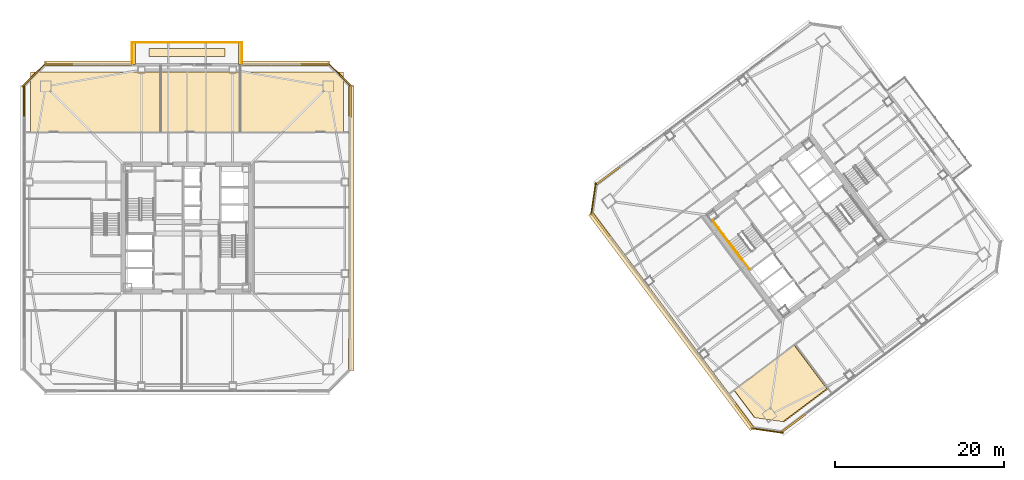
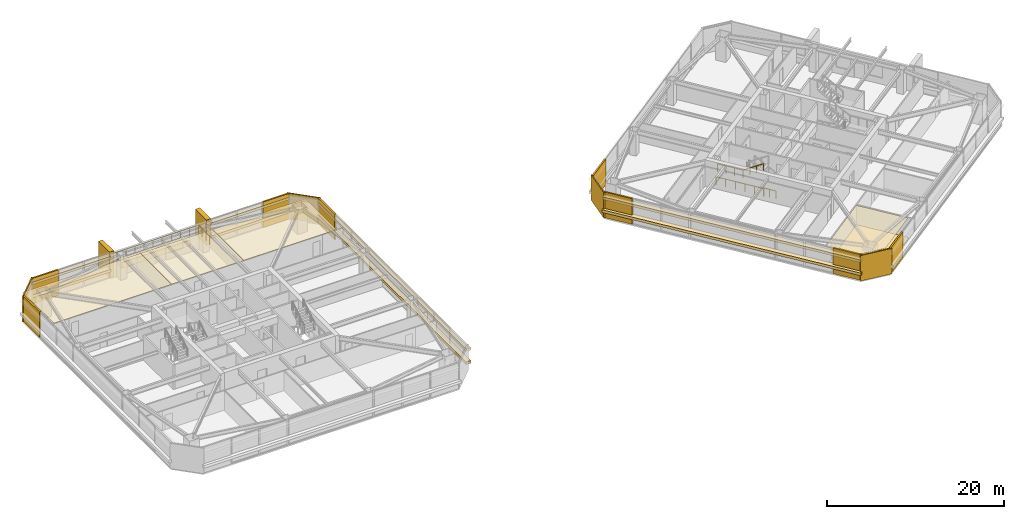
# One storey, part 41 of 44: 28 coverings, 7 railings.
"""IFC4 building model written with IfcOpenShell, lengths in metres."""

from ifc_helpers import new_model, si_unit, direction, frame, origin, origin_2d, place, context, subcontext, project, spatial, polyline, rectangle, outline, extrude, material, layer, layer_set, type_object, element, save


model = new_model("IFC4")

# Units and contexts
model_context = context("Model", 3, precision=1e-05, world=origin(), true_north=direction((0.0, 1.0)))
body_context = subcontext(model_context, "Body", "Model", "MODEL_VIEW")
ifc_project = project(units=[si_unit("LENGTHUNIT", "METRE"), si_unit("AREAUNIT", "SQUARE_METRE"), si_unit("VOLUMEUNIT", "CUBIC_METRE"), si_unit("PLANEANGLEUNIT", "RADIAN"), si_unit("MASSUNIT", "GRAM", prefix="KILO")], contexts=[model_context])

# Site, building, storey
site_placement = place(None, origin())
site = spatial("IfcSite", under=ifc_project, at=site_placement, CompositionType="ELEMENT")
building_placement = place(site_placement, origin())
building = spatial("IfcBuilding", under=site, at=building_placement, Name="Tashvorn Skyway Center", CompositionType="ELEMENT")
storey_placement = place(building_placement, frame((0.0, 0.0, 149.89990234375)))
storey = spatial("IfcBuildingStorey", under=building, at=storey_placement, Name="L40", CompositionType="ELEMENT", Elevation=149.89990234375)

# Coverings
ifc_material_1 = material(Name="Precast concrete C40/50", Category="concrete")
ifc_layer_1 = layer(ifc_material_1, 0.199951171875)
ifc_layer_set_1 = layer_set([ifc_layer_1], Name="Precast concrete C40/50")
covering_type_1 = type_object("IfcCoveringType", Name="COV-BRACE-CLAD", PredefinedType="CLADDING", material=ifc_layer_set_1)
covering_1_placement = place(storey_placement, frame((22.719970703125, 46.91552734375, 0.0), z_axis=(0.0, 0.0, 1.0), x_axis=(0.0, 1.0, 0.0)))
element("IfcCovering", 1, at=covering_1_placement, inside=storey, type_object=covering_type_1, Name="Tower 1 L40 West Unitised Curtain Wall Mega-Brace Cladding Band 2", PredefinedType="CLADDING", context=body_context, shape_type="SweptSolid", body=[
    extrude(rectangle(XDim=3.72900390625, YDim=0.199951171875, at=origin_2d()), origin(), (0.0, 0.0, 1.0), 3.550048828125),
])
for number, where, z_axis, x_axis, name in (
    (2, (26.916748046875, 51.280029296875, 0.0), (0.0, 0.0, 1.0), (1.0, 0.0, 0.0), "Tower 1 L40 North Curtain Wall L Mega-Brace Cladding Band 1"),
    (3, (57.083251953125, 51.280029296875, 0.0), (0.0, 0.0, 1.0), (1.0, 0.0, 0.0), "Tower 1 L40 North Curtain Wall R Mega-Brace Cladding Band 1"),
):
    element("IfcCovering", number, at=place(storey_placement, frame(where, z_axis=z_axis, x_axis=x_axis)), inside=storey, type_object=covering_type_1, Name=name, PredefinedType="CLADDING", context=body_context, shape_type="SweptSolid", body=[
        extrude(rectangle(XDim=3.393310546875, YDim=0.199951171875, at=origin_2d()), origin(), (0.0, 0.0, 1.0), 3.550048828125),
    ])
covering_2_placement = place(storey_placement, frame((61.280029296875, 46.91552734375, 0.0), z_axis=(0.0, 0.0, 1.0), x_axis=(0.0, -1.0, 0.0)))
element("IfcCovering", 4, at=covering_2_placement, inside=storey, type_object=covering_type_1, Name="Tower 1 L40 East Unitised Curtain Wall Mega-Brace Cladding Band 1", PredefinedType="CLADDING", context=body_context, shape_type="SweptSolid", body=[
    extrude(rectangle(XDim=3.72900390625, YDim=0.199951171875, at=origin_2d()), origin(), (0.0, 0.0, 1.0), 3.550048828125),
])
for number, where, z_axis, x_axis, name in (
    (5, (113.675537109375, 8.90673828125, 0.0), (0.0, 0.0, 1.0), (-0.799999996291, -0.600000004945, 0.0), "Tower 2 L40 South Unitised Curtain Wall Mega-Brace Cladding Band 2"),
    (6, (107.845458984375, 9.739501953125, 0.0), (0.0, 0.0, 1.0), (-0.600000004945, 0.799999996291, 0.0), "Tower 2 L40 West Unitised Curtain Wall Mega-Brace Cladding Band 1"),
    (7, (90.90673828125, 32.324462890625, 0.0), (0.0, 0.0, 1.0), (-0.600000004945, 0.799999996291, 0.0), "Tower 2 L40 West Unitised Curtain Wall Mega-Brace Cladding Band 2"),
    (8, (91.739501953125, 38.154541015625, 0.0), (0.0, 0.0, 1.0), (0.799999996291, 0.600000004945, 0.0), "Tower 2 L40 North Unitised Curtain Wall Mega-Brace Cladding Band 1"),
):
    element("IfcCovering", number, at=place(storey_placement, frame(where, z_axis=z_axis, x_axis=x_axis)), inside=storey, type_object=covering_type_1, Name=name, PredefinedType="CLADDING", context=body_context, shape_type="SweptSolid", body=[
        extrude(rectangle(XDim=3.52880859375, YDim=0.199951171875, at=origin_2d()), origin(), (0.0, 0.0, 1.0), 3.550048828125),
    ])
ifc_material_2 = material(Name="Mineral-fibre acoustic ceiling tile on suspended grid")
ifc_layer_2 = layer(ifc_material_2, 0.02001953125)
ifc_layer_set_2 = layer_set([ifc_layer_2], Name="Mineral-fibre acoustic ceiling tile on suspended grid")
covering_type_2 = type_object("IfcCoveringType", Name="COV-CEIL-20", PredefinedType="CEILING", material=ifc_layer_set_2)
covering_3_placement = place(storey_placement, frame((0.0, 0.0, 2.703125)))
element("IfcCovering", 9, at=covering_3_placement, inside=storey, type_object=covering_type_2, Name="Tower 1 L40 Operations Control Room Acoustic Ceiling", PredefinedType="CEILING", context=body_context, shape_type="SweptSolid", body=[
    extrude(outline(polyline([(23.5, 43.300048828125), (38.89990234375, 43.300048828125), (38.89990234375, 50.39990234375), (23.5, 50.39990234375), (23.5, 43.300048828125)])), origin(), (0.0, 0.0, 1.0), 0.02001953125),
])
covering_4_placement = place(storey_placement, frame((0.0, 0.0, 2.703125)))
element("IfcCovering", 10, at=covering_4_placement, inside=storey, type_object=covering_type_2, Name="Tower 1 L40 Operations Control Room Acoustic Ceiling", PredefinedType="CEILING", context=body_context, shape_type="SweptSolid", body=[
    extrude(outline(polyline([(38.89990234375, 43.300048828125), (48.300048828125, 43.300048828125), (48.300048828125, 50.39990234375), (38.89990234375, 50.39990234375), (38.89990234375, 43.300048828125)])), origin(), (0.0, 0.0, 1.0), 0.02001953125),
])
covering_5_placement = place(storey_placement, frame((0.0, 0.0, 2.703125)))
element("IfcCovering", 11, at=covering_5_placement, inside=storey, type_object=covering_type_2, Name="Tower 1 L40 Boardroom Acoustic Ceiling", PredefinedType="CEILING", context=body_context, shape_type="SweptSolid", body=[
    extrude(outline(polyline([(48.300048828125, 43.300048828125), (60.5, 43.300048828125), (60.5, 50.39990234375), (48.300048828125, 50.39990234375), (48.300048828125, 43.300048828125)])), origin(), (0.0, 0.0, 1.0), 0.02001953125),
])
covering_6_placement = place(storey_placement, frame((0.0, 0.0, 2.703125)))
element("IfcCovering", 12, at=covering_6_placement, inside=storey, type_object=covering_type_2, Name="Tower 2 L40 Operations Control Room Acoustic Ceiling", PredefinedType="CEILING", context=body_context, shape_type="SweptSolid", body=[
    extrude(outline(polyline([(106.68994140625, 12.780029296875), (113.778076171875, 18.095947265625), (117.612060546875, 12.98388671875), (112.412109375, 9.083984375), (109.10791015625, 9.555908203125), (106.68994140625, 12.780029296875)])), origin(), (0.0, 0.0, 1.0), 0.02001953125),
])
ifc_material_3 = material(Name="Polished Mojave desert-aggregate terrazzo and cover plate")
ifc_layer_3 = layer(ifc_material_3, 0.0400390625)
ifc_layer_set_3 = layer_set([ifc_layer_3], Name="Polished Mojave desert-aggregate terrazzo and cover plate")
covering_type_3 = type_object("IfcCoveringType", Name="COV-FLR-40", PredefinedType="FLOORING", material=ifc_layer_set_3)
covering_7_placement = place(storey_placement, origin())
element("IfcCovering", 13, at=covering_7_placement, inside=storey, type_object=covering_type_3, Name="Tower 2 L40 Operations Control Room Finish Flooring", PredefinedType="FLOORING", context=body_context, shape_type="SweptSolid", body=[
    extrude(outline(polyline([(112.580078125, 9.06005859375), (109.052001953125, 9.56396484375), (106.681884765625, 12.72412109375), (113.833984375, 18.087890625), (117.716064453125, 12.912109375), (112.580078125, 9.06005859375)])), origin(), (0.0, 0.0, 1.0), 0.0400390625),
])
ifc_material_4 = material(Name="Perforated ceramic-coated bronze aluminium solar screen", Category="aluminium")
ifc_layer_4 = layer(ifc_material_4, 0.85009765625)
ifc_layer_set_4 = layer_set([ifc_layer_4], Name="Perforated ceramic-coated bronze aluminium solar screen")
covering_type_4 = type_object("IfcCoveringType", Name="COV-SOLAR-BAND", PredefinedType="CLADDING", material=ifc_layer_set_4)
for number, where, z_axis, x_axis, name in (
    (14, (30.31005859375, 51.419921875, 0.919921875), (0.0, 0.0, 1.0), (1.0, 0.0, 0.0), "L40 Perforated Ceramic-Metal Solar Screen Louvre Band North 1"),
    (15, (30.31005859375, 51.419921875, 2.72021484375), (0.0, 0.0, 1.0), (1.0, 0.0, 0.0), "L40 Perforated Ceramic-Metal Solar Screen Louvre Band North 2"),
    (16, (53.68994140625, 51.419921875, 0.919921875), (0.0, 0.0, 1.0), (1.0, 0.0, 0.0), "L40 Perforated Ceramic-Metal Solar Screen Louvre Band North 1"),
    (17, (53.68994140625, 51.419921875, 2.72021484375), (0.0, 0.0, 1.0), (1.0, 0.0, 0.0), "L40 Perforated Ceramic-Metal Solar Screen Louvre Band North 2"),
):
    element("IfcCovering", number, at=place(storey_placement, frame(where, z_axis=z_axis, x_axis=x_axis)), inside=storey, type_object=covering_type_4, Name=name, PredefinedType="CLADDING", context=body_context, shape_type="SweptSolid", body=[
        extrude(rectangle(XDim=10.300048828125, YDim=0.639892578125, at=origin_2d()), origin(), (0.0, 0.0, 1.0), 0.360107421875),
    ])
for number, where, z_axis, x_axis, name in (
    (18, (61.419921875, 32.0, 0.919921875), (0.0, 0.0, 1.0), (0.0, -1.0, 0.0), "L40 Perforated Ceramic-Metal Solar Screen Louvre Band East 1"),
    (19, (61.419921875, 32.0, 2.72021484375), (0.0, 0.0, 1.0), (0.0, -1.0, 0.0), "L40 Perforated Ceramic-Metal Solar Screen Louvre Band East 2"),
):
    element("IfcCovering", number, at=place(storey_placement, frame(where, z_axis=z_axis, x_axis=x_axis)), inside=storey, type_object=covering_type_4, Name=name, PredefinedType="CLADDING", context=body_context, shape_type="SweptSolid", body=[
        extrude(rectangle(XDim=33.679931640625, YDim=0.639892578125, at=origin_2d()), origin(), (0.0, 0.0, 1.0), 0.360107421875),
    ])
for number, where, z_axis, x_axis, name in (
    (20, (99.263916015625, 20.947998046875, 0.919921875), (0.0, 0.0, 1.0), (-0.600000004945, 0.799999996291, 0.0), "L40 Perforated Ceramic-Metal Solar Screen Louvre Band West 1"),
    (21, (99.263916015625, 20.947998046875, 2.72021484375), (0.0, 0.0, 1.0), (-0.600000004945, 0.799999996291, 0.0), "L40 Perforated Ceramic-Metal Solar Screen Louvre Band West 2"),
):
    element("IfcCovering", number, at=place(storey_placement, frame(where, z_axis=z_axis, x_axis=x_axis)), inside=storey, type_object=covering_type_4, Name=name, PredefinedType="CLADDING", context=body_context, shape_type="SweptSolid", body=[
        extrude(rectangle(XDim=31.8798828125, YDim=0.639892578125, at=origin_2d()), origin(), (0.0, 0.0, 1.0), 0.360107421875),
    ])
ifc_layer_5 = layer(ifc_material_1, 0.35009765625)
ifc_layer_set_5 = layer_set([ifc_layer_5], Name="Precast concrete C40/50")
covering_type_5 = type_object("IfcCoveringType", Name="COV-STONE-TRIM", PredefinedType="CLADDING", material=ifc_layer_set_5)
for number, where, z_axis, x_axis, name in (
    (22, (35.64990234375, 52.550048828125, 0.0), (0.0, 0.0, 1.0), (1.0, 0.0, 0.0), "Tower 1 L40 Sky Garden Loggia Pier L"),
    (23, (48.35009765625, 52.550048828125, 0.0), (0.0, 0.0, 1.0), (1.0, 0.0, 0.0), "Tower 1 L40 Sky Garden Loggia Pier R"),
):
    element("IfcCovering", number, at=place(storey_placement, frame(where, z_axis=z_axis, x_axis=x_axis)), inside=storey, type_object=covering_type_5, Name=name, PredefinedType="CLADDING", context=body_context, shape_type="SweptSolid", body=[
        extrude(rectangle(XDim=0.580078125, YDim=2.5, at=origin_2d()), origin(), (0.0, 0.0, 1.0), 3.550048828125),
    ])
covering_8_placement = place(storey_placement, frame((42.0, 52.699951171875, 0.0), z_axis=(0.0, 0.0, 1.0), x_axis=(1.0, 0.0, 0.0)))
element("IfcCovering", 24, at=covering_8_placement, inside=storey, type_object=covering_type_5, Name="Tower 1 L40 Sky Garden Stone Planter Bed", PredefinedType="CLADDING", context=body_context, shape_type="SweptSolid", body=[
    extrude(rectangle(XDim=8.97607421875, YDim=0.949951171875, at=origin_2d()), origin(), (0.0, 0.0, 1.0), 0.800048828125),
])
for number, where, z_axis, x_axis, name in (
    (25, (23.929931640625, 50.070068359375, 0.02001953125), (0.0, 0.0, 1.0), (-0.707106781187, -0.707106781187, 0.0), "Tower 1 L40 NW Mojave Limestone Corner Quoin"),
    (26, (60.070068359375, 50.070068359375, 0.02001953125), (0.0, 0.0, 1.0), (0.707106781187, -0.707106781187, 0.0), "Tower 1 L40 NE Mojave Limestone Corner Quoin"),
):
    element("IfcCovering", number, at=place(storey_placement, frame(where, z_axis=z_axis, x_axis=x_axis)), inside=storey, type_object=covering_type_5, Name=name, PredefinedType="CLADDING", context=body_context, shape_type="SweptSolid", body=[
        extrude(rectangle(XDim=3.978515625, YDim=0.139892578125, at=origin_2d()), origin(), (0.0, 0.0, 1.0), 3.510009765625),
    ])
for number, where, z_axis, x_axis, name in (
    (27, (110.575927734375, 8.031982421875, 0.02001953125), (0.0, 0.0, 1.0), (-0.989949494535, 0.141421350118, 0.0), "Tower 2 L40 SW Mojave Limestone Corner Quoin"),
    (28, (90.031982421875, 35.424072265625, 0.02001953125), (0.0, 0.0, 1.0), (-0.141421350118, -0.989949494535, 0.0), "Tower 2 L40 NW Mojave Limestone Corner Quoin"),
):
    element("IfcCovering", number, at=place(storey_placement, frame(where, z_axis=z_axis, x_axis=x_axis)), inside=storey, type_object=covering_type_5, Name=name, PredefinedType="CLADDING", context=body_context, shape_type="SweptSolid", body=[
        extrude(rectangle(XDim=3.8369140625, YDim=0.139892578125, at=origin_2d()), origin(), (0.0, 0.0, 1.0), 3.510009765625),
    ])

# Railings
ifc_material_5 = material(Name="Galvanized steel S355", Category="steel")
railing_type_1 = type_object("IfcRailingType", Name="RAIL-GUARD-1120", PredefinedType="GUARDRAIL", material=ifc_material_5)
railing_1_placement = place(storey_placement, frame((35.47998046875, 51.39990234375, 0.0)))
element("IfcRailing", 29, at=railing_1_placement, inside=storey, type_object=railing_type_1, Name="L40 Tower 1 Terrace Guardrail 01", PredefinedType="GUARDRAIL", context=body_context, shape_type="SweptSolid", body=[
    extrude(rectangle(XDim=0.048095703125, YDim=0.048095703125, at=origin_2d()), frame((0.0, 0.0, 1.09619140625), z_axis=(0.0, 1.0, 0.0), x_axis=(-1.0, 0.0, 0.0)), (0.0, 0.0, 1.0), 2.52001953125),
    extrude(rectangle(XDim=0.0419921875, YDim=0.0419921875, at=origin_2d()), origin(), (0.0, 0.0, 1.0), 1.072021484375),
    extrude(rectangle(XDim=0.0419921875, YDim=0.0419921875, at=origin_2d()), frame((0.0, 0.840087890625, 0.0)), (0.0, 0.0, 1.0), 1.072021484375),
    extrude(rectangle(XDim=0.0419921875, YDim=0.0419921875, at=origin_2d()), frame((0.0, 1.679931640625, 0.0)), (0.0, 0.0, 1.0), 1.072021484375),
    extrude(rectangle(XDim=0.0419921875, YDim=0.0419921875, at=origin_2d()), frame((0.0, 2.52001953125, 0.0)), (0.0, 0.0, 1.0), 1.072021484375),
])
railing_2_placement = place(storey_placement, frame((35.47998046875, 53.919921875, 0.0)))
element("IfcRailing", 30, at=railing_2_placement, inside=storey, type_object=railing_type_1, Name="L40 Tower 1 Terrace Guardrail 02", PredefinedType="GUARDRAIL", context=body_context, shape_type="SweptSolid", body=[
    extrude(rectangle(XDim=0.048095703125, YDim=0.048095703125, at=origin_2d()), frame((0.0, 0.0, 1.09619140625), z_axis=(1.0, 0.0, 0.0), x_axis=(0.0, 1.0, 0.0)), (0.0, 0.0, 1.0), 13.0400390625),
    extrude(rectangle(XDim=0.0419921875, YDim=0.0419921875, at=origin_2d()), origin(), (0.0, 0.0, 1.0), 1.072021484375),
    extrude(rectangle(XDim=0.0419921875, YDim=0.0419921875, at=origin_2d()), frame((1.185546875, 0.0, 0.0)), (0.0, 0.0, 1.0), 1.072021484375),
    extrude(rectangle(XDim=0.0419921875, YDim=0.0419921875, at=origin_2d()), frame((2.370849609375, 0.0, 0.0)), (0.0, 0.0, 1.0), 1.072021484375),
    extrude(rectangle(XDim=0.0419921875, YDim=0.0419921875, at=origin_2d()), frame((3.556396484375, 0.0, 0.0)), (0.0, 0.0, 1.0), 1.072021484375),
    extrude(rectangle(XDim=0.0419921875, YDim=0.0419921875, at=origin_2d()), frame((4.741943359375, 0.0, 0.0)), (0.0, 0.0, 1.0), 1.072021484375),
    extrude(rectangle(XDim=0.0419921875, YDim=0.0419921875, at=origin_2d()), frame((5.92724609375, 0.0, 0.0)), (0.0, 0.0, 1.0), 1.072021484375),
    extrude(rectangle(XDim=0.0419921875, YDim=0.0419921875, at=origin_2d()), frame((7.11279296875, 0.0, 0.0)), (0.0, 0.0, 1.0), 1.072021484375),
    extrude(rectangle(XDim=0.0419921875, YDim=0.0419921875, at=origin_2d()), frame((8.298095703125, 0.0, 0.0)), (0.0, 0.0, 1.0), 1.072021484375),
    extrude(rectangle(XDim=0.0419921875, YDim=0.0419921875, at=origin_2d()), frame((9.483642578125, 0.0, 0.0)), (0.0, 0.0, 1.0), 1.072021484375),
    extrude(rectangle(XDim=0.0419921875, YDim=0.0419921875, at=origin_2d()), frame((10.669189453125, 0.0, 0.0)), (0.0, 0.0, 1.0), 1.072021484375),
    extrude(rectangle(XDim=0.0419921875, YDim=0.0419921875, at=origin_2d()), frame((11.8544921875, 0.0, 0.0)), (0.0, 0.0, 1.0), 1.072021484375),
    extrude(rectangle(XDim=0.0419921875, YDim=0.0419921875, at=origin_2d()), frame((13.0400390625, 0.0, 0.0)), (0.0, 0.0, 1.0), 1.072021484375),
])
railing_3_placement = place(storey_placement, frame((48.52001953125, 53.919921875, 0.0)))
element("IfcRailing", 31, at=railing_3_placement, inside=storey, type_object=railing_type_1, Name="L40 Tower 1 Terrace Guardrail 03", PredefinedType="GUARDRAIL", context=body_context, shape_type="SweptSolid", body=[
    extrude(rectangle(XDim=0.048095703125, YDim=0.048095703125, at=origin_2d()), frame((0.0, 0.0, 1.09619140625), z_axis=(0.0, -1.0, 0.0), x_axis=(1.0, 0.0, 0.0)), (0.0, 0.0, 1.0), 2.52001953125),
    extrude(rectangle(XDim=0.0419921875, YDim=0.0419921875, at=origin_2d()), origin(), (0.0, 0.0, 1.0), 1.072021484375),
    extrude(rectangle(XDim=0.0419921875, YDim=0.0419921875, at=origin_2d()), frame((0.0, -0.840087890625, 0.0)), (0.0, 0.0, 1.0), 1.072021484375),
    extrude(rectangle(XDim=0.0419921875, YDim=0.0419921875, at=origin_2d()), frame((0.0, -1.679931640625, 0.0)), (0.0, 0.0, 1.0), 1.072021484375),
    extrude(rectangle(XDim=0.0419921875, YDim=0.0419921875, at=origin_2d()), frame((0.0, -2.52001953125, 0.0)), (0.0, 0.0, 1.0), 1.072021484375),
])
ifc_material_6 = material(Name="Brushed stainless steel 316", Category="steel")
railing_type_2 = type_object("IfcRailingType", Name="RAIL-HAND-920", PredefinedType="HANDRAIL", material=ifc_material_6)
railing_4_placement = place(storey_placement, frame((106.072021484375, 30.35400390625, 1.95263671875)))
element("IfcRailing", 32, at=railing_4_placement, inside=storey, type_object=railing_type_2, Name="L40 ST-T2-1 stair handrail 2", PredefinedType="HANDRAIL", context=body_context, shape_type="SweptSolid", body=[
    extrude(rectangle(XDim=0.048095703125, YDim=0.048095703125, at=origin_2d()), frame((0.0, 0.0, 0.8759765625), z_axis=(0.506740800098, -0.675708949977, 0.535379469569), x_axis=(0.800023250257, 0.599968998406, 0.0)), (0.0, 0.0, 1.0), 2.983642578125),
    extrude(rectangle(XDim=0.0419921875, YDim=0.0419921875, at=origin_2d()), origin(), (0.0, 0.0, 1.0), 0.851806640625),
    extrude(rectangle(XDim=0.0419921875, YDim=0.0419921875, at=origin_2d()), frame((0.50390625, -0.672119140625, 0.532470703125)), (0.0, 0.0, 1.0), 0.851806640625),
    extrude(rectangle(XDim=0.0419921875, YDim=0.0419921875, at=origin_2d()), frame((1.008056640625, -1.343994140625, 1.06494140625)), (0.0, 0.0, 1.0), 0.851806640625),
    extrude(rectangle(XDim=0.0419921875, YDim=0.0419921875, at=origin_2d()), frame((1.511962890625, -2.01611328125, 1.597412109375)), (0.0, 0.0, 1.0), 0.851806640625),
])
ifc_material_7 = material(Name="Painted galvanized steel S355", Category="steel")
railing_type_3 = type_object("IfcRailingType", Name="RAIL-STGUARD-1100", PredefinedType="GUARDRAIL", material=ifc_material_7)
railing_5_placement = place(storey_placement, frame((106.072021484375, 30.35400390625, 1.775146484375)))
element("IfcRailing", 33, at=railing_5_placement, inside=storey, type_object=railing_type_3, Name="L40 ST-T2-1 stair guard 3", PredefinedType="GUARDRAIL", context=body_context, shape_type="SweptSolid", body=[
    extrude(rectangle(XDim=0.048095703125, YDim=0.048095703125, at=origin_2d()), frame((0.0, 0.0, 1.076171875), z_axis=(-0.599987638607, 0.800009270896, 0.0), x_axis=(-0.800009270896, -0.599987638607, 0.0)), (0.0, 0.0, 1.0), 3.16015625),
    extrude(rectangle(XDim=0.0419921875, YDim=0.0419921875, at=origin_2d()), origin(), (0.0, 0.0, 1.0), 1.052001953125),
    extrude(rectangle(XDim=0.0419921875, YDim=0.0419921875, at=origin_2d()), frame((-0.632080078125, 0.8427734375, 0.0)), (0.0, 0.0, 1.0), 1.052001953125),
    extrude(rectangle(XDim=0.0419921875, YDim=0.0419921875, at=origin_2d()), frame((-1.263916015625, 1.685302734375, 0.0)), (0.0, 0.0, 1.0), 1.052001953125),
    extrude(rectangle(XDim=0.0419921875, YDim=0.0419921875, at=origin_2d()), frame((-1.89599609375, 2.528076171875, 0.0)), (0.0, 0.0, 1.0), 1.052001953125),
])
railing_6_placement = place(storey_placement, frame((108.49609375, 27.1220703125, 0.0)))
element("IfcRailing", 34, at=railing_6_placement, inside=storey, type_object=railing_type_3, Name="L40 ST-T2-1 stair guard 6", PredefinedType="GUARDRAIL", context=body_context, shape_type="SweptSolid", body=[
    extrude(rectangle(XDim=0.048095703125, YDim=0.048095703125, at=origin_2d()), frame((0.0, 0.0, 1.076171875), z_axis=(-0.600102796382, 0.799922892393, 0.0), x_axis=(-0.799922892393, -0.600102796382, 0.0)), (0.0, 0.0, 1.0), 1.52001953125),
    extrude(rectangle(XDim=0.0419921875, YDim=0.0419921875, at=origin_2d()), origin(), (0.0, 0.0, 1.0), 1.052001953125),
    extrude(rectangle(XDim=0.0419921875, YDim=0.0419921875, at=origin_2d()), frame((-0.4560546875, 0.60791015625, 0.0)), (0.0, 0.0, 1.0), 1.052001953125),
    extrude(rectangle(XDim=0.0419921875, YDim=0.0419921875, at=origin_2d()), frame((-0.912109375, 1.2158203125, 0.0)), (0.0, 0.0, 1.0), 1.052001953125),
])
railing_7_placement = place(storey_placement, frame((107.56396484375, 28.197998046875, 0.0)))
element("IfcRailing", 35, at=railing_7_placement, inside=storey, type_object=railing_type_3, Name="L40 ST-T2-1 stair guard 7", PredefinedType="GUARDRAIL", context=body_context, shape_type="SweptSolid", body=[
    extrude(rectangle(XDim=0.048095703125, YDim=0.048095703125, at=origin_2d()), frame((0.0, 0.0, 1.076171875), z_axis=(-0.6, 0.8, 0.0), x_axis=(-0.8, -0.6, 0.0)), (0.0, 0.0, 1.0), 5.880126953125),
    extrude(rectangle(XDim=0.0419921875, YDim=0.0419921875, at=origin_2d()), origin(), (0.0, 0.0, 1.0), 1.052001953125),
    extrude(rectangle(XDim=0.0419921875, YDim=0.0419921875, at=origin_2d()), frame((-0.70556640625, 0.94091796875, 0.0)), (0.0, 0.0, 1.0), 1.052001953125),
    extrude(rectangle(XDim=0.0419921875, YDim=0.0419921875, at=origin_2d()), frame((-1.4111328125, 1.881591796875, 0.0)), (0.0, 0.0, 1.0), 1.052001953125),
    extrude(rectangle(XDim=0.0419921875, YDim=0.0419921875, at=origin_2d()), frame((-2.116943359375, 2.822509765625, 0.0)), (0.0, 0.0, 1.0), 1.052001953125),
    extrude(rectangle(XDim=0.0419921875, YDim=0.0419921875, at=origin_2d()), frame((-2.822509765625, 3.76318359375, 0.0)), (0.0, 0.0, 1.0), 1.052001953125),
    extrude(rectangle(XDim=0.0419921875, YDim=0.0419921875, at=origin_2d()), frame((-3.528076171875, 4.7041015625, 0.0)), (0.0, 0.0, 1.0), 1.052001953125),
])

save(model, "model.ifc")
